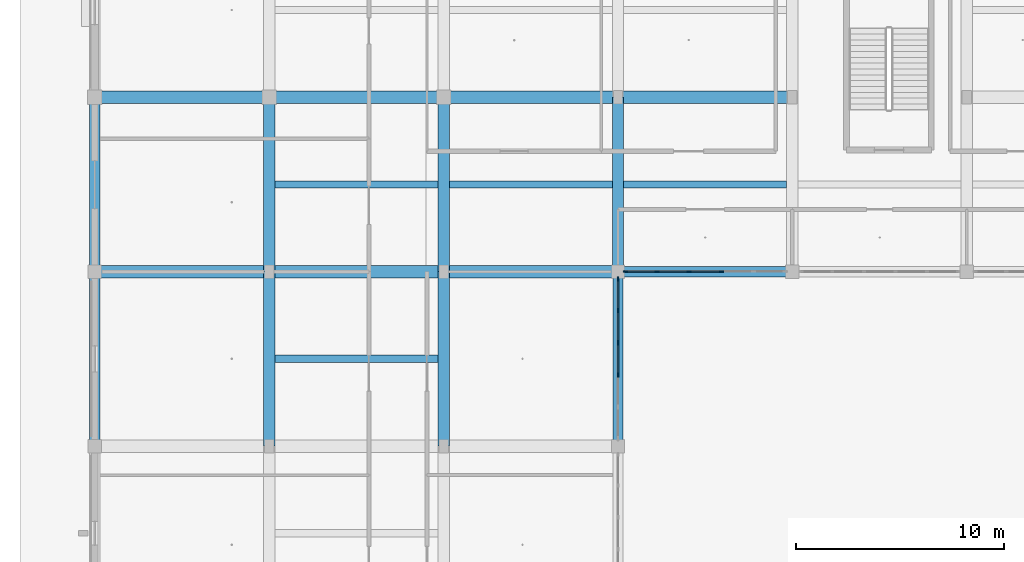
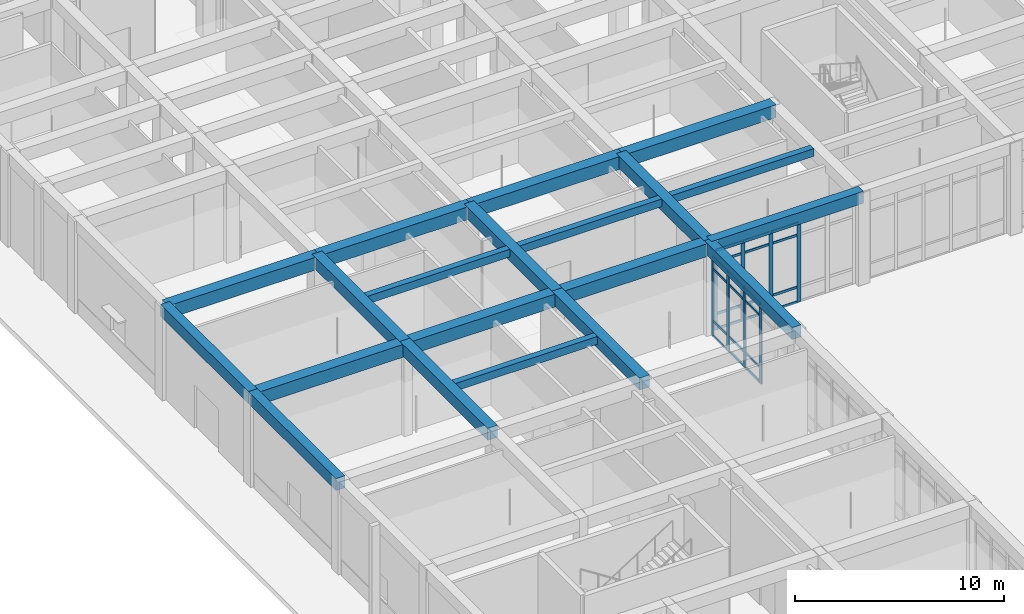
# One storey, part 25 of 167: 32 members, 20 beams, 2 elements without a shape of their own.
"""IFC4 building model written with IfcOpenShell, lengths in metres."""

from ifc_helpers import new_model, si_unit, direction, frame, origin, origin_2d, place, context, subcontext, project, spatial, rectangle, extrude, material, material_profile, profile_set, type_object, element, aggregate, save


model = new_model("IFC4")

# Units and contexts
model_context = context("Model", 3, precision=1e-05, world=origin(), true_north=direction((0.0, 1.0)))
body_context = subcontext(model_context, "Body", "Model", "MODEL_VIEW")
ifc_project = project(units=[si_unit("LENGTHUNIT", "METRE"), si_unit("AREAUNIT", "SQUARE_METRE"), si_unit("VOLUMEUNIT", "CUBIC_METRE"), si_unit("PLANEANGLEUNIT", "RADIAN"), si_unit("MASSUNIT", "GRAM", prefix="KILO")], contexts=[model_context])

# Site, building, storey
site_placement = place(None, origin())
site = spatial("IfcSite", under=ifc_project, at=site_placement, CompositionType="ELEMENT")
building_placement = place(site_placement, origin())
building = spatial("IfcBuilding", under=site, at=building_placement, Name="Varncliffe General Hospital", CompositionType="ELEMENT")
storey_placement = place(building_placement, origin())
storey = spatial("IfcBuildingStorey", under=building, at=storey_placement, Name="L00", CompositionType="ELEMENT", Elevation=0.0)

# Beams
ifc_material_1 = material(Name="Concrete C35/45 (CSA A23.1 35 MPa)", Category="concrete")
ifc_material_profile_1 = material_profile(ifc_material_1, rectangle(XDim=0.60009765625, YDim=0.75, at=origin_2d()), Name="RC 600x750")
ifc_profile_set_1 = profile_set([ifc_material_profile_1], Name="Concrete C35/45 (CSA A23.1 35 MPa)")
beam_type_1 = type_object("IfcBeamType", Name="Beam B23 (Int RC 600x750)", PredefinedType="BEAM", material=ifc_profile_set_1)
beam_1_placement = place(storey_placement, frame((0.0, 82.800048828125, 5.02490234375), z_axis=(1.0, 0.0, 0.0), x_axis=(0.0, 1.0, 0.0)))
element("IfcBeam", 1, at=beam_1_placement, inside=storey, type_object=beam_type_1, Name="L00 Primary Beam B23-112", PredefinedType="BEAM", context=body_context, shape_type="SweptSolid", body=[
    extrude(rectangle(XDim=0.60009765625, YDim=0.75, at=origin_2d()), origin(), (0.0, 0.0, 1.0), 8.39990234375),
])
beam_2_placement = place(storey_placement, frame((8.39990234375, 82.800048828125, 5.02490234375), z_axis=(1.0, 0.0, 0.0), x_axis=(0.0, 1.0, 0.0)))
element("IfcBeam", 2, at=beam_2_placement, inside=storey, type_object=beam_type_1, Name="L00 Primary Beam B23-113", PredefinedType="BEAM", context=body_context, shape_type="SweptSolid", body=[
    extrude(rectangle(XDim=0.60009765625, YDim=0.75, at=origin_2d()), origin(), (0.0, 0.0, 1.0), 8.400146484375),
])
for number, where, z_axis, x_axis, name in (
    (3, (16.800048828125, 82.800048828125, 5.02490234375), (1.0, 0.0, 0.0), (0.0, 1.0, 0.0), "L00 Primary Beam B23-114"),
    (4, (0.0, 91.199951171875, 5.02490234375), (1.0, 0.0, 0.0), (0.0, 1.0, 0.0), "L00 Primary Beam B23-133"),
):
    element("IfcBeam", number, at=place(storey_placement, frame(where, z_axis=z_axis, x_axis=x_axis)), inside=storey, type_object=beam_type_1, Name=name, PredefinedType="BEAM", context=body_context, shape_type="SweptSolid", body=[
        extrude(rectangle(XDim=0.60009765625, YDim=0.75, at=origin_2d()), origin(), (0.0, 0.0, 1.0), 8.39990234375),
    ])
beam_3_placement = place(storey_placement, frame((8.39990234375, 91.199951171875, 5.02490234375), z_axis=(1.0, 0.0, 0.0), x_axis=(0.0, 1.0, 0.0)))
element("IfcBeam", 5, at=beam_3_placement, inside=storey, type_object=beam_type_1, Name="L00 Primary Beam B23-134", PredefinedType="BEAM", context=body_context, shape_type="SweptSolid", body=[
    extrude(rectangle(XDim=0.60009765625, YDim=0.75, at=origin_2d()), origin(), (0.0, 0.0, 1.0), 8.400146484375),
])
beam_4_placement = place(storey_placement, frame((16.800048828125, 91.199951171875, 5.02490234375), z_axis=(1.0, 0.0, 0.0), x_axis=(0.0, 1.0, 0.0)))
element("IfcBeam", 6, at=beam_4_placement, inside=storey, type_object=beam_type_1, Name="L00 Primary Beam B23-135", PredefinedType="BEAM", context=body_context, shape_type="SweptSolid", body=[
    extrude(rectangle(XDim=0.60009765625, YDim=0.75, at=origin_2d()), origin(), (0.0, 0.0, 1.0), 8.39990234375),
])
beam_5_placement = place(storey_placement, frame((25.199951171875, 91.199951171875, 5.02490234375), z_axis=(1.0, 0.0, 0.0), x_axis=(0.0, 1.0, 0.0)))
element("IfcBeam", 7, at=beam_5_placement, inside=storey, type_object=beam_type_1, Name="L00 Primary Beam B23-136", PredefinedType="BEAM", context=body_context, shape_type="SweptSolid", body=[
    extrude(rectangle(XDim=0.60009765625, YDim=0.75, at=origin_2d()), origin(), (0.0, 0.0, 1.0), 8.400146484375),
])
ifc_material_profile_2 = material_profile(ifc_material_1, rectangle(XDim=0.550048828125, YDim=0.699951171875, at=origin_2d()), Name="RC 550x700")
ifc_profile_set_2 = profile_set([ifc_material_profile_2], Name="Concrete C35/45 (CSA A23.1 35 MPa)")
beam_type_2 = type_object("IfcBeamType", Name="Beam B35 (Int RC 550x700)", PredefinedType="BEAM", material=ifc_profile_set_2)
beam_6_placement = place(storey_placement, frame((8.39990234375, 74.39990234375, 5.050048828125), z_axis=(0.0, 1.0, 0.0), x_axis=(-1.0, 0.0, 0.0)))
element("IfcBeam", 8, at=beam_6_placement, inside=storey, type_object=beam_type_2, Name="L00 Primary Beam B35-283", PredefinedType="BEAM", context=body_context, shape_type="SweptSolid", body=[
    extrude(rectangle(XDim=0.550048828125, YDim=0.699951171875, at=origin_2d()), origin(), (0.0, 0.0, 1.0), 8.400146484375),
])
beam_7_placement = place(storey_placement, frame((8.39990234375, 82.800048828125, 5.050048828125), z_axis=(0.0, 1.0, 0.0), x_axis=(-1.0, 0.0, 0.0)))
element("IfcBeam", 9, at=beam_7_placement, inside=storey, type_object=beam_type_2, Name="L00 Primary Beam B35-284", PredefinedType="BEAM", context=body_context, shape_type="SweptSolid", body=[
    extrude(rectangle(XDim=0.550048828125, YDim=0.699951171875, at=origin_2d()), origin(), (0.0, 0.0, 1.0), 8.39990234375),
])
beam_8_placement = place(storey_placement, frame((16.800048828125, 74.39990234375, 5.050048828125), z_axis=(0.0, 1.0, 0.0), x_axis=(-1.0, 0.0, 0.0)))
element("IfcBeam", 10, at=beam_8_placement, inside=storey, type_object=beam_type_2, Name="L00 Primary Beam B35-300", PredefinedType="BEAM", context=body_context, shape_type="SweptSolid", body=[
    extrude(rectangle(XDim=0.550048828125, YDim=0.699951171875, at=origin_2d()), origin(), (0.0, 0.0, 1.0), 8.400146484375),
])
for number, where, z_axis, x_axis, name in (
    (11, (16.800048828125, 82.800048828125, 5.050048828125), (0.0, 1.0, 0.0), (-1.0, 0.0, 0.0), "L00 Primary Beam B35-301"),
    (12, (25.199951171875, 82.800048828125, 5.050048828125), (0.0, 1.0, 0.0), (-1.0, 0.0, 0.0), "L00 Primary Beam B35-318"),
):
    element("IfcBeam", number, at=place(storey_placement, frame(where, z_axis=z_axis, x_axis=x_axis)), inside=storey, type_object=beam_type_2, Name=name, PredefinedType="BEAM", context=body_context, shape_type="SweptSolid", body=[
        extrude(rectangle(XDim=0.550048828125, YDim=0.699951171875, at=origin_2d()), origin(), (0.0, 0.0, 1.0), 8.39990234375),
    ])

# Curtain wall, members
ifc_material_2 = material(Name="Triple low-E argon insulated vision glazing", Category="glass")
curtain_wall_type = type_object("IfcCurtainWallType", Name="Unitised Glazed Curtain Wall CW66 (7754x4640)", PredefinedType="USERDEFINED", material=ifc_material_2)
curtain_wall_1_placement = place(storey_placement, origin())
curtain_wall_1 = element("IfcCurtainWall", 13, at=curtain_wall_1_placement, inside=storey, type_object=curtain_wall_type, Name="L00 Glazed Curtain Wall CW66-12", ObjectType="GLAZED CURTAIN WALL", PredefinedType="USERDEFINED")
ifc_material_3 = material(Name="Dark bronze thermally broken aluminium framing", Category="aluminium")
ifc_material_profile_3 = material_profile(ifc_material_3, rectangle(XDim=0.074951171875, YDim=0.219970703125, at=origin_2d()), Name="ALU 75x220")
ifc_profile_set_3 = profile_set([ifc_material_profile_3], Name="Dark bronze thermally broken aluminium framing")
member_type_1 = type_object("IfcMemberType", Name="Curtain Wall Mullion CM74 (ALU 75x220)", PredefinedType="MULLION", material=ifc_profile_set_3)
member_1_placement = place(storey_placement, frame((25.199951171875, 82.439453125, 0.0), z_axis=(0.0, 0.0, 1.0), x_axis=(1.0, 0.0, 0.0)))
member_1 = element("IfcMember", 14, at=member_1_placement, type_object=member_type_1, Name="CW66 mullion 1", PredefinedType="MULLION", context=body_context, shape_type="SweptSolid", body=[
    extrude(rectangle(XDim=0.074951171875, YDim=0.219970703125, at=origin_2d()), origin(), (0.0, 0.0, 1.0), 4.639892578125),
])
member_2_placement = place(storey_placement, frame((25.199951171875, 80.92626953125, 0.0), z_axis=(0.0, 0.0, 1.0), x_axis=(1.0, 0.0, 0.0)))
member_2 = element("IfcMember", 15, at=member_2_placement, type_object=member_type_1, Name="CW66 mullion 2", PredefinedType="MULLION", context=body_context, shape_type="SweptSolid", body=[
    extrude(rectangle(XDim=0.074951171875, YDim=0.219970703125, at=origin_2d()), origin(), (0.0, 0.0, 1.0), 4.639892578125),
])
member_3_placement = place(storey_placement, frame((25.199951171875, 79.37548828125, 0.0), z_axis=(0.0, 0.0, 1.0), x_axis=(1.0, 0.0, 0.0)))
member_3 = element("IfcMember", 16, at=member_3_placement, type_object=member_type_1, Name="CW66 mullion 3", PredefinedType="MULLION", context=body_context, shape_type="SweptSolid", body=[
    extrude(rectangle(XDim=0.074951171875, YDim=0.219970703125, at=origin_2d()), origin(), (0.0, 0.0, 1.0), 4.639892578125),
])
member_4_placement = place(storey_placement, frame((25.199951171875, 77.82470703125, 0.0), z_axis=(0.0, 0.0, 1.0), x_axis=(1.0, 0.0, 0.0)))
member_4 = element("IfcMember", 17, at=member_4_placement, type_object=member_type_1, Name="CW66 mullion 4", PredefinedType="MULLION", context=body_context, shape_type="SweptSolid", body=[
    extrude(rectangle(XDim=0.074951171875, YDim=0.219970703125, at=origin_2d()), origin(), (0.0, 0.0, 1.0), 4.639892578125),
])

curtain_wall_2_placement = place(storey_placement, origin())
curtain_wall_2 = element("IfcCurtainWall", 18, at=curtain_wall_2_placement, inside=storey, type_object=curtain_wall_type, Name="L00 Glazed Curtain Wall CW66-27", ObjectType="GLAZED CURTAIN WALL", PredefinedType="USERDEFINED")
member_5_placement = place(storey_placement, frame((30.17529296875, 82.800048828125, 0.0), z_axis=(0.0, 0.0, 1.0), x_axis=(0.0, -1.0, 0.0)))
member_5 = element("IfcMember", 19, at=member_5_placement, type_object=member_type_1, Name="CW66 mullion 3", PredefinedType="MULLION", context=body_context, shape_type="SweptSolid", body=[
    extrude(rectangle(XDim=0.074951171875, YDim=0.219970703125, at=origin_2d()), origin(), (0.0, 0.0, 1.0), 4.639892578125),
])
member_6_placement = place(storey_placement, frame((28.62451171875, 82.800048828125, 0.0), z_axis=(0.0, 0.0, 1.0), x_axis=(0.0, -1.0, 0.0)))
member_6 = element("IfcMember", 20, at=member_6_placement, type_object=member_type_1, Name="CW66 mullion 4", PredefinedType="MULLION", context=body_context, shape_type="SweptSolid", body=[
    extrude(rectangle(XDim=0.074951171875, YDim=0.219970703125, at=origin_2d()), origin(), (0.0, 0.0, 1.0), 4.639892578125),
])
member_7_placement = place(storey_placement, frame((27.07373046875, 82.800048828125, 0.0), z_axis=(0.0, 0.0, 1.0), x_axis=(0.0, -1.0, 0.0)))
member_7 = element("IfcMember", 21, at=member_7_placement, type_object=member_type_1, Name="CW66 mullion 5", PredefinedType="MULLION", context=body_context, shape_type="SweptSolid", body=[
    extrude(rectangle(XDim=0.074951171875, YDim=0.219970703125, at=origin_2d()), origin(), (0.0, 0.0, 1.0), 4.639892578125),
])
member_8_placement = place(storey_placement, frame((25.560546875, 82.800048828125, 0.0), z_axis=(0.0, 0.0, 1.0), x_axis=(0.0, -1.0, 0.0)))
member_8 = element("IfcMember", 22, at=member_8_placement, type_object=member_type_1, Name="CW66 mullion 6", PredefinedType="MULLION", context=body_context, shape_type="SweptSolid", body=[
    extrude(rectangle(XDim=0.074951171875, YDim=0.219970703125, at=origin_2d()), origin(), (0.0, 0.0, 1.0), 4.639892578125),
])

# Member
ifc_material_profile_4 = material_profile(ifc_material_3, rectangle(XDim=0.06494140625, YDim=0.139892578125, at=origin_2d()), Name="ALU 65x140")
ifc_profile_set_4 = profile_set([ifc_material_profile_4], Name="Dark bronze thermally broken aluminium framing")
member_type_2 = type_object("IfcMemberType", Name="Curtain Wall Transom CT69 (ALU 65x140)", PredefinedType="USERDEFINED", material=ifc_profile_set_4)
member_9_placement = place(storey_placement, frame((25.199951171875, 82.402099609375, 0.032470703125), z_axis=(0.0, -1.0, 0.0), x_axis=(1.0, 0.0, 0.0)))
member_9 = element("IfcMember", 23, at=member_9_placement, type_object=member_type_2, Name="CW66 transom 1.1", ObjectType="TRANSOM", PredefinedType="USERDEFINED", context=body_context, shape_type="SweptSolid", body=[
    extrude(rectangle(XDim=0.06494140625, YDim=0.139892578125, at=origin_2d()), origin(), (0.0, 0.0, 1.0), 1.4384765625),
])

member_10_placement = place(storey_placement, frame((25.199951171875, 82.402099609375, 0.89990234375), z_axis=(0.0, -1.0, 0.0), x_axis=(1.0, 0.0, 0.0)))
member_10 = element("IfcMember", 24, at=member_10_placement, type_object=member_type_2, Name="CW66 transom 1.2", ObjectType="TRANSOM", PredefinedType="USERDEFINED", context=body_context, shape_type="SweptSolid", body=[
    extrude(rectangle(XDim=0.06494140625, YDim=0.139892578125, at=origin_2d()), origin(), (0.0, 0.0, 1.0), 1.4384765625),
])

member_11_placement = place(storey_placement, frame((25.199951171875, 82.402099609375, 3.93994140625), z_axis=(0.0, -1.0, 0.0), x_axis=(1.0, 0.0, 0.0)))
member_11 = element("IfcMember", 25, at=member_11_placement, type_object=member_type_2, Name="CW66 transom 1.3", ObjectType="TRANSOM", PredefinedType="USERDEFINED", context=body_context, shape_type="SweptSolid", body=[
    extrude(rectangle(XDim=0.06494140625, YDim=0.139892578125, at=origin_2d()), origin(), (0.0, 0.0, 1.0), 1.4384765625),
])

member_12_placement = place(storey_placement, frame((25.199951171875, 82.402099609375, 4.607421875), z_axis=(0.0, -1.0, 0.0), x_axis=(1.0, 0.0, 0.0)))
member_12 = element("IfcMember", 26, at=member_12_placement, type_object=member_type_2, Name="CW66 transom 1.4", ObjectType="TRANSOM", PredefinedType="USERDEFINED", context=body_context, shape_type="SweptSolid", body=[
    extrude(rectangle(XDim=0.06494140625, YDim=0.139892578125, at=origin_2d()), origin(), (0.0, 0.0, 1.0), 1.4384765625),
])

member_13_placement = place(storey_placement, frame((25.199951171875, 80.888671875, 0.032470703125), z_axis=(0.0, -1.0, 0.0), x_axis=(1.0, 0.0, 0.0)))
member_13 = element("IfcMember", 27, at=member_13_placement, type_object=member_type_2, Name="CW66 transom 2.1", ObjectType="TRANSOM", PredefinedType="USERDEFINED", context=body_context, shape_type="SweptSolid", body=[
    extrude(rectangle(XDim=0.06494140625, YDim=0.139892578125, at=origin_2d()), origin(), (0.0, 0.0, 1.0), 1.475830078125),
])

member_14_placement = place(storey_placement, frame((25.199951171875, 80.888671875, 0.89990234375), z_axis=(0.0, -1.0, 0.0), x_axis=(1.0, 0.0, 0.0)))
member_14 = element("IfcMember", 28, at=member_14_placement, type_object=member_type_2, Name="CW66 transom 2.2", ObjectType="TRANSOM", PredefinedType="USERDEFINED", context=body_context, shape_type="SweptSolid", body=[
    extrude(rectangle(XDim=0.06494140625, YDim=0.139892578125, at=origin_2d()), origin(), (0.0, 0.0, 1.0), 1.475830078125),
])

member_15_placement = place(storey_placement, frame((25.199951171875, 80.888671875, 3.93994140625), z_axis=(0.0, -1.0, 0.0), x_axis=(1.0, 0.0, 0.0)))
member_15 = element("IfcMember", 29, at=member_15_placement, type_object=member_type_2, Name="CW66 transom 2.3", ObjectType="TRANSOM", PredefinedType="USERDEFINED", context=body_context, shape_type="SweptSolid", body=[
    extrude(rectangle(XDim=0.06494140625, YDim=0.139892578125, at=origin_2d()), origin(), (0.0, 0.0, 1.0), 1.475830078125),
])

member_16_placement = place(storey_placement, frame((25.199951171875, 80.888671875, 4.607421875), z_axis=(0.0, -1.0, 0.0), x_axis=(1.0, 0.0, 0.0)))
member_16 = element("IfcMember", 30, at=member_16_placement, type_object=member_type_2, Name="CW66 transom 2.4", ObjectType="TRANSOM", PredefinedType="USERDEFINED", context=body_context, shape_type="SweptSolid", body=[
    extrude(rectangle(XDim=0.06494140625, YDim=0.139892578125, at=origin_2d()), origin(), (0.0, 0.0, 1.0), 1.475830078125),
])

member_17_placement = place(storey_placement, frame((25.199951171875, 79.337890625, 0.032470703125), z_axis=(0.0, -1.0, 0.0), x_axis=(1.0, 0.0, 0.0)))
member_17 = element("IfcMember", 31, at=member_17_placement, type_object=member_type_2, Name="CW66 transom 3.1", ObjectType="TRANSOM", PredefinedType="USERDEFINED", context=body_context, shape_type="SweptSolid", body=[
    extrude(rectangle(XDim=0.06494140625, YDim=0.139892578125, at=origin_2d()), origin(), (0.0, 0.0, 1.0), 1.475830078125),
])

member_18_placement = place(storey_placement, frame((25.199951171875, 79.337890625, 0.89990234375), z_axis=(0.0, -1.0, 0.0), x_axis=(1.0, 0.0, 0.0)))
member_18 = element("IfcMember", 32, at=member_18_placement, type_object=member_type_2, Name="CW66 transom 3.2", ObjectType="TRANSOM", PredefinedType="USERDEFINED", context=body_context, shape_type="SweptSolid", body=[
    extrude(rectangle(XDim=0.06494140625, YDim=0.139892578125, at=origin_2d()), origin(), (0.0, 0.0, 1.0), 1.475830078125),
])

member_19_placement = place(storey_placement, frame((25.199951171875, 79.337890625, 3.93994140625), z_axis=(0.0, -1.0, 0.0), x_axis=(1.0, 0.0, 0.0)))
member_19 = element("IfcMember", 33, at=member_19_placement, type_object=member_type_2, Name="CW66 transom 3.3", ObjectType="TRANSOM", PredefinedType="USERDEFINED", context=body_context, shape_type="SweptSolid", body=[
    extrude(rectangle(XDim=0.06494140625, YDim=0.139892578125, at=origin_2d()), origin(), (0.0, 0.0, 1.0), 1.475830078125),
])

member_20_placement = place(storey_placement, frame((25.199951171875, 79.337890625, 4.607421875), z_axis=(0.0, -1.0, 0.0), x_axis=(1.0, 0.0, 0.0)))
member_20 = element("IfcMember", 34, at=member_20_placement, type_object=member_type_2, Name="CW66 transom 3.4", ObjectType="TRANSOM", PredefinedType="USERDEFINED", context=body_context, shape_type="SweptSolid", body=[
    extrude(rectangle(XDim=0.06494140625, YDim=0.139892578125, at=origin_2d()), origin(), (0.0, 0.0, 1.0), 1.475830078125),
])

aggregate(curtain_wall_1, [member_1, member_2, member_3, member_4, member_9, member_10, member_11, member_12, member_13, member_14, member_15, member_16, member_17, member_18, member_19, member_20])

member_21_placement = place(storey_placement, frame((30.137939453125, 82.800048828125, 0.032470703125), z_axis=(-1.0, 0.0, 0.0), x_axis=(0.0, -1.0, 0.0)))
member_21 = element("IfcMember", 35, at=member_21_placement, type_object=member_type_2, Name="CW66 transom 3.1", ObjectType="TRANSOM", PredefinedType="USERDEFINED", context=body_context, shape_type="SweptSolid", body=[
    extrude(rectangle(XDim=0.06494140625, YDim=0.139892578125, at=origin_2d()), origin(), (0.0, 0.0, 1.0), 1.475830078125),
])

member_22_placement = place(storey_placement, frame((30.137939453125, 82.800048828125, 0.89990234375), z_axis=(-1.0, 0.0, 0.0), x_axis=(0.0, -1.0, 0.0)))
member_22 = element("IfcMember", 36, at=member_22_placement, type_object=member_type_2, Name="CW66 transom 3.2", ObjectType="TRANSOM", PredefinedType="USERDEFINED", context=body_context, shape_type="SweptSolid", body=[
    extrude(rectangle(XDim=0.06494140625, YDim=0.139892578125, at=origin_2d()), origin(), (0.0, 0.0, 1.0), 1.475830078125),
])

member_23_placement = place(storey_placement, frame((30.137939453125, 82.800048828125, 3.93994140625), z_axis=(-1.0, 0.0, 0.0), x_axis=(0.0, -1.0, 0.0)))
member_23 = element("IfcMember", 37, at=member_23_placement, type_object=member_type_2, Name="CW66 transom 3.3", ObjectType="TRANSOM", PredefinedType="USERDEFINED", context=body_context, shape_type="SweptSolid", body=[
    extrude(rectangle(XDim=0.06494140625, YDim=0.139892578125, at=origin_2d()), origin(), (0.0, 0.0, 1.0), 1.475830078125),
])

member_24_placement = place(storey_placement, frame((30.137939453125, 82.800048828125, 4.607421875), z_axis=(-1.0, 0.0, 0.0), x_axis=(0.0, -1.0, 0.0)))
member_24 = element("IfcMember", 38, at=member_24_placement, type_object=member_type_2, Name="CW66 transom 3.4", ObjectType="TRANSOM", PredefinedType="USERDEFINED", context=body_context, shape_type="SweptSolid", body=[
    extrude(rectangle(XDim=0.06494140625, YDim=0.139892578125, at=origin_2d()), origin(), (0.0, 0.0, 1.0), 1.475830078125),
])

member_25_placement = place(storey_placement, frame((28.587158203125, 82.800048828125, 0.032470703125), z_axis=(-1.0, 0.0, 0.0), x_axis=(0.0, -1.0, 0.0)))
member_25 = element("IfcMember", 39, at=member_25_placement, type_object=member_type_2, Name="CW66 transom 4.1", ObjectType="TRANSOM", PredefinedType="USERDEFINED", context=body_context, shape_type="SweptSolid", body=[
    extrude(rectangle(XDim=0.06494140625, YDim=0.139892578125, at=origin_2d()), origin(), (0.0, 0.0, 1.0), 1.475830078125),
])

member_26_placement = place(storey_placement, frame((28.587158203125, 82.800048828125, 0.89990234375), z_axis=(-1.0, 0.0, 0.0), x_axis=(0.0, -1.0, 0.0)))
member_26 = element("IfcMember", 40, at=member_26_placement, type_object=member_type_2, Name="CW66 transom 4.2", ObjectType="TRANSOM", PredefinedType="USERDEFINED", context=body_context, shape_type="SweptSolid", body=[
    extrude(rectangle(XDim=0.06494140625, YDim=0.139892578125, at=origin_2d()), origin(), (0.0, 0.0, 1.0), 1.475830078125),
])

member_27_placement = place(storey_placement, frame((28.587158203125, 82.800048828125, 3.93994140625), z_axis=(-1.0, 0.0, 0.0), x_axis=(0.0, -1.0, 0.0)))
member_27 = element("IfcMember", 41, at=member_27_placement, type_object=member_type_2, Name="CW66 transom 4.3", ObjectType="TRANSOM", PredefinedType="USERDEFINED", context=body_context, shape_type="SweptSolid", body=[
    extrude(rectangle(XDim=0.06494140625, YDim=0.139892578125, at=origin_2d()), origin(), (0.0, 0.0, 1.0), 1.475830078125),
])

member_28_placement = place(storey_placement, frame((28.587158203125, 82.800048828125, 4.607421875), z_axis=(-1.0, 0.0, 0.0), x_axis=(0.0, -1.0, 0.0)))
member_28 = element("IfcMember", 42, at=member_28_placement, type_object=member_type_2, Name="CW66 transom 4.4", ObjectType="TRANSOM", PredefinedType="USERDEFINED", context=body_context, shape_type="SweptSolid", body=[
    extrude(rectangle(XDim=0.06494140625, YDim=0.139892578125, at=origin_2d()), origin(), (0.0, 0.0, 1.0), 1.475830078125),
])

member_29_placement = place(storey_placement, frame((27.036376953125, 82.800048828125, 0.032470703125), z_axis=(-1.0, 0.0, 0.0), x_axis=(0.0, -1.0, 0.0)))
member_29 = element("IfcMember", 43, at=member_29_placement, type_object=member_type_2, Name="CW66 transom 5.1", ObjectType="TRANSOM", PredefinedType="USERDEFINED", context=body_context, shape_type="SweptSolid", body=[
    extrude(rectangle(XDim=0.06494140625, YDim=0.139892578125, at=origin_2d()), origin(), (0.0, 0.0, 1.0), 1.4384765625),
])

member_30_placement = place(storey_placement, frame((27.036376953125, 82.800048828125, 0.89990234375), z_axis=(-1.0, 0.0, 0.0), x_axis=(0.0, -1.0, 0.0)))
member_30 = element("IfcMember", 44, at=member_30_placement, type_object=member_type_2, Name="CW66 transom 5.2", ObjectType="TRANSOM", PredefinedType="USERDEFINED", context=body_context, shape_type="SweptSolid", body=[
    extrude(rectangle(XDim=0.06494140625, YDim=0.139892578125, at=origin_2d()), origin(), (0.0, 0.0, 1.0), 1.4384765625),
])

member_31_placement = place(storey_placement, frame((27.036376953125, 82.800048828125, 3.93994140625), z_axis=(-1.0, 0.0, 0.0), x_axis=(0.0, -1.0, 0.0)))
member_31 = element("IfcMember", 45, at=member_31_placement, type_object=member_type_2, Name="CW66 transom 5.3", ObjectType="TRANSOM", PredefinedType="USERDEFINED", context=body_context, shape_type="SweptSolid", body=[
    extrude(rectangle(XDim=0.06494140625, YDim=0.139892578125, at=origin_2d()), origin(), (0.0, 0.0, 1.0), 1.4384765625),
])

member_32_placement = place(storey_placement, frame((27.036376953125, 82.800048828125, 4.607421875), z_axis=(-1.0, 0.0, 0.0), x_axis=(0.0, -1.0, 0.0)))
member_32 = element("IfcMember", 46, at=member_32_placement, type_object=member_type_2, Name="CW66 transom 5.4", ObjectType="TRANSOM", PredefinedType="USERDEFINED", context=body_context, shape_type="SweptSolid", body=[
    extrude(rectangle(XDim=0.06494140625, YDim=0.139892578125, at=origin_2d()), origin(), (0.0, 0.0, 1.0), 1.4384765625),
])

aggregate(curtain_wall_2, [member_5, member_6, member_7, member_8, member_21, member_22, member_23, member_24, member_25, member_26, member_27, member_28, member_29, member_30, member_31, member_32])

# Beams
ifc_material_profile_5 = material_profile(ifc_material_1, rectangle(XDim=0.35009765625, YDim=0.449951171875, at=origin_2d()), Name="RC 350x450")
ifc_profile_set_5 = profile_set([ifc_material_profile_5], Name="Concrete C35/45 (CSA A23.1 35 MPa)")
beam_type_3 = type_object("IfcBeamType", Name="Joist J55 (Int RC 350x450)", PredefinedType="JOIST", material=ifc_profile_set_5)
for number, where, z_axis, x_axis, name in (
    (47, (8.673095703125, 78.60009765625, 5.175048828125), (1.0, 0.0, 0.0), (0.0, 1.0, 0.0), "L00 Secondary Floor Rib J55-7"),
    (48, (8.673095703125, 87.0, 5.175048828125), (1.0, 0.0, 0.0), (0.0, 1.0, 0.0), "L00 Secondary Floor Rib J55-8"),
    (49, (17.072998046875, 87.0, 5.175048828125), (1.0, 0.0, 0.0), (0.0, 1.0, 0.0), "L00 Secondary Floor Rib J55-12"),
    (50, (25.472900390625, 87.0, 5.175048828125), (1.0, 0.0, 0.0), (0.0, 1.0, 0.0), "L00 Secondary Floor Rib J55-16"),
):
    element("IfcBeam", number, at=place(storey_placement, frame(where, z_axis=z_axis, x_axis=x_axis)), inside=storey, type_object=beam_type_3, Name=name, PredefinedType="JOIST", context=body_context, shape_type="SweptSolid", body=[
        extrude(rectangle(XDim=0.35009765625, YDim=0.449951171875, at=origin_2d()), origin(), (0.0, 0.0, 1.0), 7.85400390625),
    ])
ifc_material_profile_6 = material_profile(ifc_material_1, rectangle(XDim=0.5, YDim=0.699951171875, at=origin_2d()), Name="RC 500x700")
ifc_profile_set_6 = profile_set([ifc_material_profile_6], Name="Concrete C35/45 (CSA A23.1 35 MPa)")
beam_type_4 = type_object("IfcBeamType", Name="Spandrel SP19 (Ext RC 500x700)", PredefinedType="SPANDREL", material=ifc_profile_set_6)
for number, where, z_axis, x_axis, name in (
    (51, (25.199951171875, 82.800048828125, 5.050048828125), (1.0, 0.0, 0.0), (0.0, 1.0, 0.0), "L00 Spandrel Beam SP19-115"),
    (52, (0.0, 74.39990234375, 5.050048828125), (0.0, 1.0, 0.0), (-1.0, 0.0, 0.0), "L00 Spandrel Beam SP19-268"),
):
    element("IfcBeam", number, at=place(storey_placement, frame(where, z_axis=z_axis, x_axis=x_axis)), inside=storey, type_object=beam_type_4, Name=name, PredefinedType="SPANDREL", context=body_context, shape_type="SweptSolid", body=[
        extrude(rectangle(XDim=0.5, YDim=0.699951171875, at=origin_2d()), origin(), (0.0, 0.0, 1.0), 8.400146484375),
    ])
beam_9_placement = place(storey_placement, frame((0.0, 82.800048828125, 5.050048828125), z_axis=(0.0, 1.0, 0.0), x_axis=(-1.0, 0.0, 0.0)))
element("IfcBeam", 53, at=beam_9_placement, inside=storey, type_object=beam_type_4, Name="L00 Spandrel Beam SP19-269", PredefinedType="SPANDREL", context=body_context, shape_type="SweptSolid", body=[
    extrude(rectangle(XDim=0.5, YDim=0.699951171875, at=origin_2d()), origin(), (0.0, 0.0, 1.0), 8.39990234375),
])
beam_10_placement = place(storey_placement, frame((25.199951171875, 74.39990234375, 5.050048828125), z_axis=(0.0, 1.0, 0.0), x_axis=(-1.0, 0.0, 0.0)))
element("IfcBeam", 54, at=beam_10_placement, inside=storey, type_object=beam_type_4, Name="L00 Spandrel Beam SP19-317", PredefinedType="SPANDREL", context=body_context, shape_type="SweptSolid", body=[
    extrude(rectangle(XDim=0.5, YDim=0.699951171875, at=origin_2d()), origin(), (0.0, 0.0, 1.0), 8.400146484375),
])

save(model, "model.ifc")
